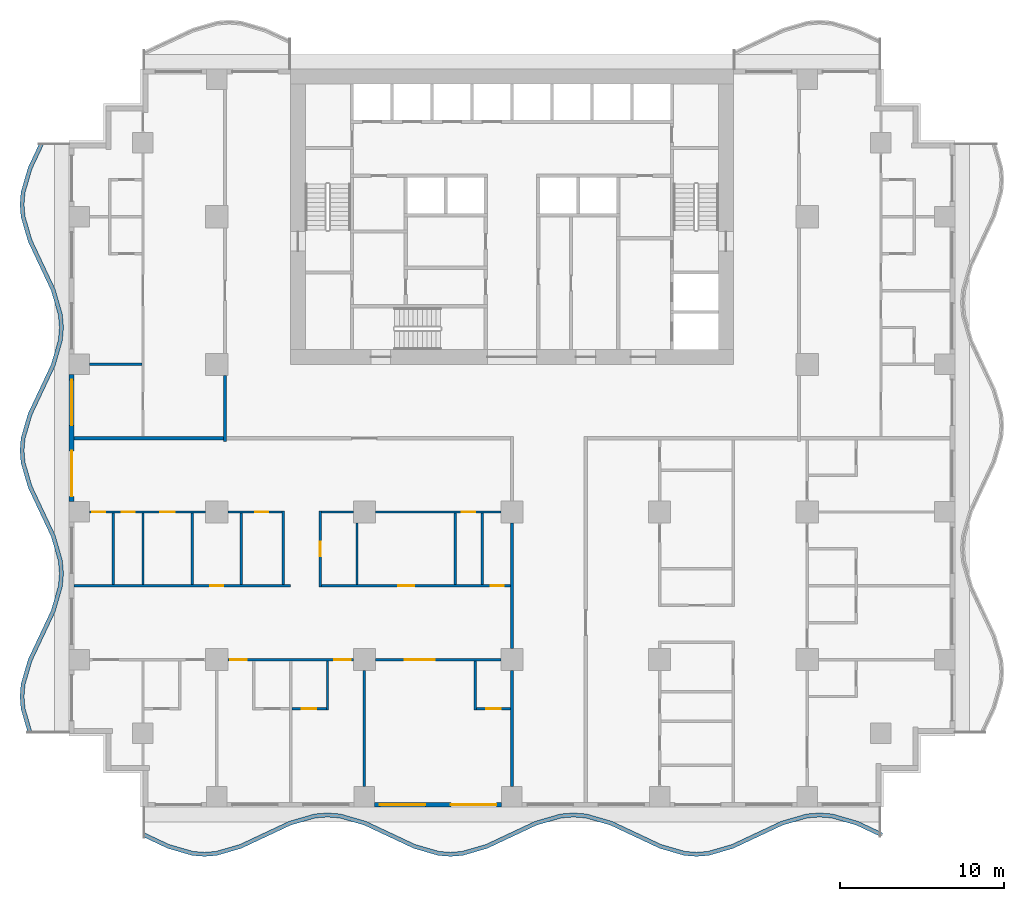
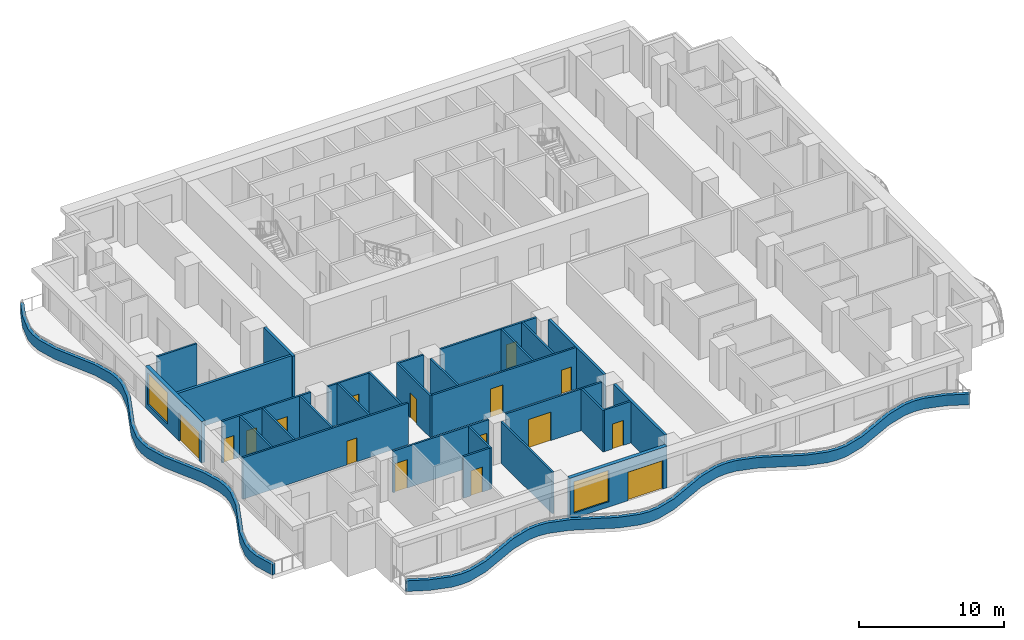
# One storey, part 2 of 14: 31 walls, 16 doors, 2 windows, 18 openings.
"""IFC4 building model written with IfcOpenShell, lengths in metres."""

from ifc_helpers import new_model, si_unit, direction, frame, frame_2d, origin, place, context, subcontext, project, spatial, polyline, rectangle, outline, extrude, material, layer, layer_set, type_object, element, fill, save


model = new_model("IFC4")

# Units and contexts
model_context = context("Model", 3, precision=1e-05, world=origin(), true_north=direction((0.0, 1.0)))
body_context = subcontext(model_context, "Body", "Model", "MODEL_VIEW")
ifc_project = project(units=[si_unit("LENGTHUNIT", "METRE"), si_unit("AREAUNIT", "SQUARE_METRE"), si_unit("VOLUMEUNIT", "CUBIC_METRE"), si_unit("PLANEANGLEUNIT", "RADIAN"), si_unit("MASSUNIT", "GRAM", prefix="KILO")], contexts=[model_context])

# Site, building, storey
site_placement = place(None, origin())
site = spatial("IfcSite", under=ifc_project, at=site_placement, CompositionType="ELEMENT")
building_placement = place(site_placement, origin())
building = spatial("IfcBuilding", under=site, at=building_placement, Name="Orbiselva Terraces", CompositionType="ELEMENT")
storey_placement = place(building_placement, frame((0.0, 0.0, 107.4)))
storey = spatial("IfcBuildingStorey", under=building, at=storey_placement, Name="L27", CompositionType="ELEMENT", Elevation=107.4)

# Walls
ifc_material_1 = material(Name="Concrete C40/50", Category="concrete")
ifc_layer_1 = layer(ifc_material_1, 0.25)
ifc_layer_set_1 = layer_set([ifc_layer_1], Name="Concrete C40/50")
wall_type_1 = type_object("IfcWallType", Name="ENV-PLANTER-250x900", PredefinedType="USERDEFINED", material=ifc_layer_set_1)
wall_1_placement = place(storey_placement, origin())
element("IfcWall", 1, at=wall_1_placement, inside=storey, type_object=wall_type_1, Name="Balcony planter L27 S", ObjectType="PLANTER", PredefinedType="USERDEFINED", context=body_context, shape_type="SweptSolid", body=[
    extrude(outline(polyline([(-22.5, -24.3), (-21.0, -25.005342), (-19.5, -25.441268), (-18.75, -25.5), (-18.0, -25.441268), (-16.5, -25.005342), (-15.0, -24.3), (-13.5, -23.594658), (-12.0, -23.158732), (-11.25, -23.1), (-10.5, -23.158732), (-9.0, -23.594658), (-7.5, -24.3), (-6.0, -25.005342), (-4.5, -25.441268), (-3.75, -25.5), (-3.0, -25.441268), (-1.5, -25.005342), (0.0, -24.3), (1.5, -23.594658), (3.0, -23.158732), (3.75, -23.1), (4.5, -23.158732), (6.0, -23.594658), (7.5, -24.3), (9.0, -25.005342), (10.5, -25.441268), (11.25, -25.5), (12.0, -25.441268), (13.5, -25.005342), (15.0, -24.3), (16.5, -23.594658), (18.0, -23.158732), (18.75, -23.1), (19.5, -23.158732), (21.0, -23.594658), (22.5, -24.3), (22.606383, -24.073764), (21.088618, -23.360069), (19.545114, -22.911499), (18.75, -22.849235), (17.954886, -22.911499), (16.411382, -23.360069), (14.893617, -24.073764), (13.411382, -24.770753), (11.954886, -25.194035), (11.25, -25.249235), (10.545114, -25.194035), (9.088618, -24.770753), (7.606383, -24.073764), (6.088618, -23.360069), (4.545114, -22.911499), (3.75, -22.849235), (2.954886, -22.911499), (1.411382, -23.360069), (-0.106383, -24.073764), (-1.588618, -24.770753), (-3.045114, -25.194035), (-3.75, -25.249235), (-4.454886, -25.194035), (-5.911382, -24.770753), (-7.393617, -24.073764), (-8.911382, -23.360069), (-10.454886, -22.911499), (-11.25, -22.849235), (-12.045114, -22.911499), (-13.588618, -23.360069), (-15.106383, -24.073764), (-16.588618, -24.770753), (-18.045114, -25.194035), (-18.75, -25.249235), (-19.454886, -25.194035), (-20.911382, -24.770753), (-22.393617, -24.073764), (-22.5, -24.3)])), origin(), (0.0, 0.0, 1.0), 0.9),
])
wall_2_placement = place(storey_placement, origin())
element("IfcWall", 2, at=wall_2_placement, inside=storey, type_object=wall_type_1, Name="Balcony planter L27 W", ObjectType="PLANTER", PredefinedType="USERDEFINED", context=body_context, shape_type="SweptSolid", body=[
    extrude(outline(polyline([(-28.8, 18.0), (-29.505342, 16.5), (-29.941268, 15.0), (-30.0, 14.25), (-29.941268, 13.5), (-29.505342, 12.0), (-28.8, 10.5), (-28.094658, 9.0), (-27.658732, 7.5), (-27.6, 6.75), (-27.658732, 6.0), (-28.094658, 4.5), (-28.8, 3.0), (-29.505342, 1.5), (-29.941268, 0.0), (-30.0, -0.75), (-29.941268, -1.5), (-29.505342, -3.0), (-28.8, -4.5), (-28.094658, -6.0), (-27.658732, -7.5), (-27.6, -8.25), (-27.658732, -9.0), (-28.094658, -10.5), (-28.8, -12.0), (-29.505342, -13.5), (-29.941268, -15.0), (-30.0, -15.75), (-29.941268, -16.5), (-29.505342, -18.0), (-29.265274, -17.930232), (-29.694035, -16.454886), (-29.749235, -15.75), (-29.694035, -15.045114), (-29.270753, -13.588618), (-28.573764, -12.106383), (-27.860069, -10.588618), (-27.411499, -9.045114), (-27.349235, -8.25), (-27.411499, -7.454886), (-27.860069, -5.911382), (-28.573764, -4.393617), (-29.270753, -2.911382), (-29.694035, -1.454886), (-29.749235, -0.75), (-29.694035, -0.045114), (-29.270753, 1.411382), (-28.573764, 2.893617), (-27.860069, 4.411382), (-27.411499, 5.954886), (-27.349235, 6.75), (-27.411499, 7.545114), (-27.860069, 9.088618), (-28.573764, 10.606383), (-29.270753, 12.088618), (-29.694035, 13.545114), (-29.749235, 14.25), (-29.694035, 14.954886), (-29.270753, 16.411382), (-28.573764, 17.893617), (-28.8, 18.0)])), origin(), (0.0, 0.0, 1.0), 0.9),
])

# Wall, openings, door, window
ifc_material_2 = material(Name="Terracotta cladding on masonry backing", Category="masonry")
ifc_layer_2 = layer(ifc_material_2, 0.3)
ifc_layer_set_2 = layer_set([ifc_layer_2], Name="Terracotta cladding on masonry backing")
wall_type_2 = type_object("IfcWallType", Name="ENV-WALL-TERRACOTTA-300", PredefinedType="SOLIDWALL", material=ifc_layer_set_2)
wall_3_placement = place(storey_placement, frame((-0.625, -22.35, 0.0), z_axis=(0.0, 0.0, 1.0), x_axis=(-1.0, 0.0, 0.0)))
wall_3 = element("IfcWall", 3, at=wall_3_placement, inside=storey, type_object=wall_type_2, Name="Facade wall L27 S", PredefinedType="SOLIDWALL", context=body_context, shape_type="SweptSolid", body=[
    extrude(rectangle(XDim=7.75, YDim=0.3, at=frame_2d((3.875, 0.0))), origin(), (0.0, 0.0, 1.0), 3.5),
])
opening_1_placement = place(wall_3_placement, frame((4.65, 0.0, 0.45)))
opening_1 = element("IfcOpeningElement", 4, at=opening_1_placement, cuts=wall_3, Name="Opening WN6", PredefinedType="OPENING", context=body_context, shape_type="SweptSolid", body=[
    extrude(rectangle(XDim=2.775, YDim=2.65, at=frame_2d((1.3875, 1.325))), frame((0.0, 0.16, 0.0), z_axis=(0.0, -1.0, 0.0), x_axis=(1.0, 0.0, 0.0)), (0.0, 0.0, 1.0), 0.32),
])
opening_2_placement = place(wall_3_placement, frame((0.325, 0.0, 0.0)))
opening_2 = element("IfcOpeningElement", 5, at=opening_2_placement, cuts=wall_3, Name="Opening Z2-D-E02", PredefinedType="OPENING", context=body_context, shape_type="SweptSolid", body=[
    extrude(rectangle(XDim=2.775, YDim=2.4, at=frame_2d((1.3875, 1.2))), frame((0.0, 0.16, 0.0), z_axis=(0.0, -1.0, 0.0), x_axis=(1.0, 0.0, 0.0)), (0.0, 0.0, 1.0), 0.32),
])
ifc_material_3 = material(Name="Clear low-e glazing in aluminium frame", Category="aluminium")
door_type_1 = type_object("IfcDoorType", Name="BALCONY DOOR 2775 X 2400", OperationType="DOUBLE_DOOR_SLIDING", PredefinedType="DOOR", material=ifc_material_3)
door_1_placement = place(opening_2_placement, origin())
door_1 = element("IfcDoor", 6, at=door_1_placement, inside=storey, type_object=door_type_1, Name="Z2-D-E02", OperationType="SINGLE_SWING_LEFT", OverallHeight=2.4, OverallWidth=2.775, PredefinedType="DOOR", context=body_context, shape_type="SweptSolid", body=[
    extrude(rectangle(XDim=2.775, YDim=2.4, at=frame_2d((1.3875, 1.2))), frame((0.0, 0.025, 0.0), z_axis=(0.0, -1.0, 0.0), x_axis=(1.0, 0.0, 0.0)), (0.0, 0.0, 1.0), 0.05),
])
fill(opening_2, door_1)
window_type = type_object("IfcWindowType", Name="WINDOW 2775 X 2650 S450", PartitioningType="TRIPLE_PANEL_VERTICAL", PredefinedType="WINDOW", material=ifc_material_3)
window_1_placement = place(opening_1_placement, origin())
window_1 = element("IfcWindow", 7, at=window_1_placement, inside=storey, type_object=window_type, Name="Window L27 S", OverallHeight=2.65, OverallWidth=2.775, PartitioningType="SINGLE_PANEL", PredefinedType="WINDOW", context=body_context, shape_type="SweptSolid", body=[
    extrude(rectangle(XDim=2.775, YDim=2.65, at=frame_2d((1.3875, 1.325))), frame((0.0, 0.03, 0.0), z_axis=(0.0, -1.0, 0.0), x_axis=(1.0, 0.0, 0.0)), (0.0, 0.0, 1.0), 0.06),
])
fill(opening_1, window_1)

wall_4_placement = place(storey_placement, frame((-26.85, -3.875, 0.0), z_axis=(0.0, 0.0, 1.0), x_axis=(0.0, 1.0, 0.0)))
wall_4 = element("IfcWall", 8, at=wall_4_placement, inside=storey, type_object=wall_type_2, Name="Facade wall L27 W", PredefinedType="SOLIDWALL", context=body_context, shape_type="SweptSolid", body=[
    extrude(rectangle(XDim=7.75, YDim=0.3, at=frame_2d((3.875, 0.0))), origin(), (0.0, 0.0, 1.0), 3.5),
])
opening_3_placement = place(wall_4_placement, frame((4.65, 0.0, 0.45)))
opening_3 = element("IfcOpeningElement", 9, at=opening_3_placement, cuts=wall_4, Name="Opening WN6", PredefinedType="OPENING", context=body_context, shape_type="SweptSolid", body=[
    extrude(rectangle(XDim=2.775, YDim=2.65, at=frame_2d((1.3875, 1.325))), frame((0.0, 0.16, 0.0), z_axis=(0.0, -1.0, 0.0), x_axis=(1.0, 0.0, 0.0)), (0.0, 0.0, 1.0), 0.32),
])
opening_4_placement = place(wall_4_placement, frame((0.325, 0.0, 0.0)))
opening_4 = element("IfcOpeningElement", 10, at=opening_4_placement, cuts=wall_4, Name="Opening Z2-D-E11", PredefinedType="OPENING", context=body_context, shape_type="SweptSolid", body=[
    extrude(rectangle(XDim=2.775, YDim=2.4, at=frame_2d((1.3875, 1.2))), frame((0.0, 0.16, 0.0), z_axis=(0.0, -1.0, 0.0), x_axis=(1.0, 0.0, 0.0)), (0.0, 0.0, 1.0), 0.32),
])
door_2_placement = place(opening_4_placement, origin())
door_2 = element("IfcDoor", 11, at=door_2_placement, inside=storey, type_object=door_type_1, Name="Z2-D-E11", OperationType="SINGLE_SWING_LEFT", OverallHeight=2.4, OverallWidth=2.775, PredefinedType="DOOR", context=body_context, shape_type="SweptSolid", body=[
    extrude(rectangle(XDim=2.775, YDim=2.4, at=frame_2d((1.3875, 1.2))), frame((0.0, 0.025, 0.0), z_axis=(0.0, -1.0, 0.0), x_axis=(1.0, 0.0, 0.0)), (0.0, 0.0, 1.0), 0.05),
])
fill(opening_4, door_2)
window_2_placement = place(opening_3_placement, origin())
window_2 = element("IfcWindow", 12, at=window_2_placement, inside=storey, type_object=window_type, Name="Window L27 W", OverallHeight=2.65, OverallWidth=2.775, PartitioningType="SINGLE_PANEL", PredefinedType="WINDOW", context=body_context, shape_type="SweptSolid", body=[
    extrude(rectangle(XDim=2.775, YDim=2.65, at=frame_2d((1.3875, 1.325))), frame((0.0, 0.03, 0.0), z_axis=(0.0, -1.0, 0.0), x_axis=(1.0, 0.0, 0.0)), (0.0, 0.0, 1.0), 0.06),
])
fill(opening_3, window_2)

# Walls
ifc_material_4 = material(Name="Plasterboard on steel stud partition", Category="steel")
ifc_layer_3 = layer(ifc_material_4, 0.2)
ifc_layer_set_3 = layer_set([ifc_layer_3], Name="Plasterboard on steel stud partition")
wall_type_3 = type_object("IfcWallType", Name="UNIT-ENTRANCE-WALL-200", PredefinedType="PARTITIONING", material=ifc_layer_set_3)
wall_5_placement = place(storey_placement, frame((-17.5, -0.2, 0.0), z_axis=(0.0, 0.0, 1.0), x_axis=(0.0, 1.0, 0.0)))
element("IfcWall", 13, at=wall_5_placement, inside=storey, type_object=wall_type_3, Name="PARTITION L27-055", PredefinedType="PARTITIONING", context=body_context, shape_type="SweptSolid", body=[
    extrude(rectangle(XDim=4.025, YDim=0.2, at=frame_2d((2.0125, 0.0))), origin(), (0.0, 0.0, 1.0), 3.5),
])
wall_6_placement = place(storey_placement, frame((0.0, -21.25, 0.0), z_axis=(0.0, 0.0, 1.0), x_axis=(0.0, 1.0, 0.0)))
element("IfcWall", 14, at=wall_6_placement, inside=storey, type_object=wall_type_3, Name="PARTITION L27-069", PredefinedType="PARTITIONING", context=body_context, shape_type="SweptSolid", body=[
    extrude(rectangle(XDim=7.075, YDim=0.2, at=frame_2d((3.5375, 0.0))), origin(), (0.0, 0.0, 1.0), 3.5),
])
wall_7_placement = place(storey_placement, frame((0.0, -12.825, 0.0), z_axis=(0.0, 0.0, 1.0), x_axis=(0.0, 1.0, 0.0)))
element("IfcWall", 15, at=wall_7_placement, inside=storey, type_object=wall_type_3, Name="PARTITION L27-070", PredefinedType="PARTITIONING", context=body_context, shape_type="SweptSolid", body=[
    extrude(rectangle(XDim=7.65, YDim=0.2, at=frame_2d((3.825, 0.0))), origin(), (0.0, 0.0, 1.0), 3.5),
])

# Wall, opening, door
ifc_layer_4 = layer(ifc_material_4, 0.15)
ifc_layer_set_4 = layer_set([ifc_layer_4], Name="Plasterboard on steel stud partition")
wall_type_4 = type_object("IfcWallType", Name="UNIT-PARTITION-150", PredefinedType="PARTITIONING", material=ifc_layer_set_4)
wall_8_placement = place(storey_placement, frame((-13.425, -16.5, 0.0), z_axis=(0.0, 0.0, 1.0), x_axis=(1.0, 0.0, 0.0)))
wall_8 = element("IfcWall", 16, at=wall_8_placement, inside=storey, type_object=wall_type_4, Name="PARTITION L27-005", PredefinedType="PARTITIONING", context=body_context, shape_type="SweptSolid", body=[
    extrude(rectangle(XDim=2.1, YDim=0.15, at=frame_2d((1.05, 0.0))), origin(), (0.0, 0.0, 1.0), 3.5),
])
opening_5_placement = place(wall_8_placement, frame((0.6, 0.0, 0.0)))
opening_5 = element("IfcOpeningElement", 17, at=opening_5_placement, cuts=wall_8, Name="Opening Z2-D-28", PredefinedType="OPENING", context=body_context, shape_type="SweptSolid", body=[
    extrude(rectangle(XDim=0.9, YDim=2.1, at=frame_2d((0.45, 1.05))), frame((0.0, 0.085, 0.0), z_axis=(0.0, -1.0, 0.0), x_axis=(1.0, 0.0, 0.0)), (0.0, 0.0, 1.0), 0.17),
])
ifc_material_5 = material(Name="Painted timber door leaf", Category="wood")
door_type_2 = type_object("IfcDoorType", Name="BATH DOOR 900", OperationType="NOTDEFINED", PredefinedType="DOOR", material=ifc_material_5)
door_3_placement = place(opening_5_placement, origin())
door_3 = element("IfcDoor", 18, at=door_3_placement, inside=storey, type_object=door_type_2, Name="Z2-D-28", OperationType="SINGLE_SWING_LEFT", OverallHeight=2.1, OverallWidth=0.9, PredefinedType="DOOR", context=body_context, shape_type="SweptSolid", body=[
    extrude(rectangle(XDim=0.9, YDim=2.1, at=frame_2d((0.45, 1.05))), frame((0.0, 0.025, 0.0), z_axis=(0.0, -1.0, 0.0), x_axis=(1.0, 0.0, 0.0)), (0.0, 0.0, 1.0), 0.05),
])
fill(opening_5, door_3)

wall_9_placement = place(storey_placement, frame((-2.175, -16.5, 0.0), z_axis=(0.0, 0.0, 1.0), x_axis=(1.0, 0.0, 0.0)))
wall_9 = element("IfcWall", 19, at=wall_9_placement, inside=storey, type_object=wall_type_4, Name="PARTITION L27-006", PredefinedType="PARTITIONING", context=body_context, shape_type="SweptSolid", body=[
    extrude(rectangle(XDim=2.075, YDim=0.15, at=frame_2d((1.0375, 0.0))), origin(), (0.0, 0.0, 1.0), 3.5),
])
opening_6_placement = place(wall_9_placement, frame((0.6, 0.0, 0.0)))
opening_6 = element("IfcOpeningElement", 20, at=opening_6_placement, cuts=wall_9, Name="Opening Z2-D-26", PredefinedType="OPENING", context=body_context, shape_type="SweptSolid", body=[
    extrude(rectangle(XDim=0.9, YDim=2.1, at=frame_2d((0.45, 1.05))), frame((0.0, 0.085, 0.0), z_axis=(0.0, -1.0, 0.0), x_axis=(1.0, 0.0, 0.0)), (0.0, 0.0, 1.0), 0.17),
])
door_4_placement = place(opening_6_placement, origin())
door_4 = element("IfcDoor", 21, at=door_4_placement, inside=storey, type_object=door_type_2, Name="Z2-D-26", OperationType="SINGLE_SWING_RIGHT", OverallHeight=2.1, OverallWidth=0.9, PredefinedType="DOOR", context=body_context, shape_type="SweptSolid", body=[
    extrude(rectangle(XDim=0.9, YDim=2.1, at=frame_2d((0.45, 1.05))), frame((0.0, 0.025, 0.0), z_axis=(0.0, -1.0, 0.0), x_axis=(1.0, 0.0, 0.0)), (0.0, 0.0, 1.0), 0.05),
])
fill(opening_6, door_4)

# Wall, openings, doors
wall_10_placement = place(storey_placement, frame((-9.675, -13.5, 0.0), z_axis=(0.0, 0.0, 1.0), x_axis=(-1.0, 0.0, 0.0)))
wall_10 = element("IfcWall", 22, at=wall_10_placement, inside=storey, type_object=wall_type_4, Name="PARTITION L27-010", PredefinedType="PARTITIONING", context=body_context, shape_type="SweptSolid", body=[
    extrude(rectangle(XDim=7.65, YDim=0.15, at=frame_2d((3.825, 0.0))), origin(), (0.0, 0.0, 1.0), 3.5),
])
opening_7_placement = place(wall_10_placement, frame((0.15, 0.0, 0.0)))
opening_7 = element("IfcOpeningElement", 23, at=opening_7_placement, cuts=wall_10, Name="Opening Z2-D-27", PredefinedType="OPENING", context=body_context, shape_type="SweptSolid", body=[
    extrude(rectangle(XDim=1.0, YDim=2.4, at=frame_2d((0.5, 1.2))), frame((0.0, 0.085, 0.0), z_axis=(0.0, -1.0, 0.0), x_axis=(1.0, 0.0, 0.0)), (0.0, 0.0, 1.0), 0.17),
])
opening_8_placement = place(wall_10_placement, frame((6.5, 0.0, 0.0)))
opening_8 = element("IfcOpeningElement", 24, at=opening_8_placement, cuts=wall_10, Name="Opening Z2-D-29", PredefinedType="OPENING", context=body_context, shape_type="SweptSolid", body=[
    extrude(rectangle(XDim=1.0, YDim=2.4, at=frame_2d((0.5, 1.2))), frame((0.0, 0.085, 0.0), z_axis=(0.0, -1.0, 0.0), x_axis=(1.0, 0.0, 0.0)), (0.0, 0.0, 1.0), 0.17),
])
door_type_3 = type_object("IfcDoorType", Name="ROOM DOOR 1000", OperationType="NOTDEFINED", PredefinedType="DOOR", material=ifc_material_5)
door_5_placement = place(opening_7_placement, origin())
door_5 = element("IfcDoor", 25, at=door_5_placement, inside=storey, type_object=door_type_3, Name="Z2-D-27", OperationType="SINGLE_SWING_LEFT", OverallHeight=2.4, OverallWidth=1.0, PredefinedType="DOOR", context=body_context, shape_type="SweptSolid", body=[
    extrude(rectangle(XDim=1.0, YDim=2.4, at=frame_2d((0.5, 1.2))), frame((0.0, 0.025, 0.0), z_axis=(0.0, -1.0, 0.0), x_axis=(1.0, 0.0, 0.0)), (0.0, 0.0, 1.0), 0.05),
])
fill(opening_7, door_5)
door_6_placement = place(opening_8_placement, origin())
door_6 = element("IfcDoor", 26, at=door_6_placement, inside=storey, type_object=door_type_3, Name="Z2-D-29", OperationType="SINGLE_SWING_RIGHT", OverallHeight=2.4, OverallWidth=1.0, PredefinedType="DOOR", context=body_context, shape_type="SweptSolid", body=[
    extrude(rectangle(XDim=1.0, YDim=2.4, at=frame_2d((0.5, 1.2))), frame((0.0, 0.025, 0.0), z_axis=(0.0, -1.0, 0.0), x_axis=(1.0, 0.0, 0.0)), (0.0, 0.0, 1.0), 0.05),
])
fill(opening_8, door_6)

# Wall, opening, door
wall_11_placement = place(storey_placement, frame((-0.675, -13.5, 0.0), z_axis=(0.0, 0.0, 1.0), x_axis=(-1.0, 0.0, 0.0)))
wall_11 = element("IfcWall", 27, at=wall_11_placement, inside=storey, type_object=wall_type_4, Name="PARTITION L27-011", PredefinedType="PARTITIONING", context=body_context, shape_type="SweptSolid", body=[
    extrude(rectangle(XDim=7.65, YDim=0.15, at=frame_2d((3.825, 0.0))), origin(), (0.0, 0.0, 1.0), 3.5),
])
opening_9_placement = place(wall_11_placement, frame((4.05, 0.0, 0.0)))
opening_9 = element("IfcOpeningElement", 28, at=opening_9_placement, cuts=wall_11, Name="Opening Z2-D-25", PredefinedType="OPENING", context=body_context, shape_type="SweptSolid", body=[
    extrude(rectangle(XDim=1.8, YDim=2.4, at=frame_2d((0.9, 1.2))), frame((0.0, 0.085, 0.0), z_axis=(0.0, -1.0, 0.0), x_axis=(1.0, 0.0, 0.0)), (0.0, 0.0, 1.0), 0.17),
])
door_type_4 = type_object("IfcDoorType", Name="DOUBLE DOOR 1800", OperationType="NOTDEFINED", PredefinedType="DOOR", material=ifc_material_5)
door_7_placement = place(opening_9_placement, origin())
door_7 = element("IfcDoor", 29, at=door_7_placement, inside=storey, type_object=door_type_4, Name="Z2-D-25", OperationType="DOUBLE_DOOR_SINGLE_SWING", OverallHeight=2.4, OverallWidth=1.8, PredefinedType="DOOR", context=body_context, shape_type="SweptSolid", body=[
    extrude(rectangle(XDim=1.8, YDim=2.4, at=frame_2d((0.9, 1.2))), frame((0.0, 0.025, 0.0), z_axis=(0.0, -1.0, 0.0), x_axis=(1.0, 0.0, 0.0)), (0.0, 0.0, 1.0), 0.05),
])
fill(opening_9, door_7)

wall_12_placement = place(storey_placement, frame((-26.7, -9.0, 0.0), z_axis=(0.0, 0.0, 1.0), x_axis=(1.0, 0.0, 0.0)))
wall_12 = element("IfcWall", 30, at=wall_12_placement, inside=storey, type_object=wall_type_4, Name="PARTITION L27-016", PredefinedType="PARTITIONING", context=body_context, shape_type="SweptSolid", body=[
    extrude(rectangle(XDim=13.2, YDim=0.15, at=frame_2d((6.6, 0.0))), origin(), (0.0, 0.0, 1.0), 3.5),
])
opening_10_placement = place(wall_12_placement, frame((8.3, 0.0, 0.0)))
opening_10 = element("IfcOpeningElement", 31, at=opening_10_placement, cuts=wall_12, Name="Opening Z2-D-21", PredefinedType="OPENING", context=body_context, shape_type="SweptSolid", body=[
    extrude(rectangle(XDim=0.8, YDim=2.0, at=frame_2d((0.4, 1.0))), frame((0.0, 0.085, 0.0), z_axis=(0.0, -1.0, 0.0), x_axis=(1.0, 0.0, 0.0)), (0.0, 0.0, 1.0), 0.17),
])
door_type_5 = type_object("IfcDoorType", Name="STORE DOOR 800", OperationType="NOTDEFINED", PredefinedType="DOOR", material=ifc_material_5)
door_8_placement = place(opening_10_placement, origin())
door_8 = element("IfcDoor", 32, at=door_8_placement, inside=storey, type_object=door_type_5, Name="Z2-D-21", OperationType="SINGLE_SWING_RIGHT", OverallHeight=2.0, OverallWidth=0.8, PredefinedType="DOOR", context=body_context, shape_type="SweptSolid", body=[
    extrude(rectangle(XDim=0.8, YDim=2.0, at=frame_2d((0.4, 1.0))), frame((0.0, 0.025, 0.0), z_axis=(0.0, -1.0, 0.0), x_axis=(1.0, 0.0, 0.0)), (0.0, 0.0, 1.0), 0.05),
])
fill(opening_10, door_8)

# Wall, openings, doors
wall_13_placement = place(storey_placement, frame((-11.625, -9.0, 0.0), z_axis=(0.0, 0.0, 1.0), x_axis=(1.0, 0.0, 0.0)))
wall_13 = element("IfcWall", 33, at=wall_13_placement, inside=storey, type_object=wall_type_4, Name="PARTITION L27-017", PredefinedType="PARTITIONING", context=body_context, shape_type="SweptSolid", body=[
    extrude(rectangle(XDim=11.525, YDim=0.15, at=frame_2d((5.7625, 0.0))), origin(), (0.0, 0.0, 1.0), 3.5),
])
opening_11_placement = place(wall_13_placement, frame((10.325, 0.0, 0.0)))
opening_11 = element("IfcOpeningElement", 34, at=opening_11_placement, cuts=wall_13, Name="Opening Z2-D-16", PredefinedType="OPENING", context=body_context, shape_type="SweptSolid", body=[
    extrude(rectangle(XDim=0.8, YDim=2.0, at=frame_2d((0.4, 1.0))), frame((0.0, 0.085, 0.0), z_axis=(0.0, -1.0, 0.0), x_axis=(1.0, 0.0, 0.0)), (0.0, 0.0, 1.0), 0.17),
])
opening_12_placement = place(wall_13_placement, frame((4.675, 0.0, 0.0)))
opening_12 = element("IfcOpeningElement", 35, at=opening_12_placement, cuts=wall_13, Name="Opening Z2-D-18", PredefinedType="OPENING", context=body_context, shape_type="SweptSolid", body=[
    extrude(rectangle(XDim=1.0, YDim=2.4, at=frame_2d((0.5, 1.2))), frame((0.0, 0.085, 0.0), z_axis=(0.0, -1.0, 0.0), x_axis=(1.0, 0.0, 0.0)), (0.0, 0.0, 1.0), 0.17),
])
door_9_placement = place(opening_12_placement, origin())
door_9 = element("IfcDoor", 36, at=door_9_placement, inside=storey, type_object=door_type_3, Name="Z2-D-18", OperationType="SINGLE_SWING_LEFT", OverallHeight=2.4, OverallWidth=1.0, PredefinedType="DOOR", context=body_context, shape_type="SweptSolid", body=[
    extrude(rectangle(XDim=1.0, YDim=2.4, at=frame_2d((0.5, 1.2))), frame((0.0, 0.025, 0.0), z_axis=(0.0, -1.0, 0.0), x_axis=(1.0, 0.0, 0.0)), (0.0, 0.0, 1.0), 0.05),
])
fill(opening_12, door_9)
door_10_placement = place(opening_11_placement, origin())
door_10 = element("IfcDoor", 37, at=door_10_placement, inside=storey, type_object=door_type_5, Name="Z2-D-16", OperationType="SINGLE_SWING_RIGHT", OverallHeight=2.0, OverallWidth=0.8, PredefinedType="DOOR", context=body_context, shape_type="SweptSolid", body=[
    extrude(rectangle(XDim=0.8, YDim=2.0, at=frame_2d((0.4, 1.0))), frame((0.0, 0.025, 0.0), z_axis=(0.0, -1.0, 0.0), x_axis=(1.0, 0.0, 0.0)), (0.0, 0.0, 1.0), 0.05),
])
fill(opening_11, door_10)

wall_14_placement = place(storey_placement, frame((-18.675, -4.5, 0.0), z_axis=(0.0, 0.0, 1.0), x_axis=(-1.0, 0.0, 0.0)))
wall_14 = element("IfcWall", 38, at=wall_14_placement, inside=storey, type_object=wall_type_4, Name="PARTITION L27-022", PredefinedType="PARTITIONING", context=body_context, shape_type="SweptSolid", body=[
    extrude(rectangle(XDim=7.075, YDim=0.15, at=frame_2d((3.5375, 0.0))), origin(), (0.0, 0.0, 1.0), 3.5),
])
opening_13_placement = place(wall_14_placement, frame((1.875, 0.0, 0.0)))
opening_13 = element("IfcOpeningElement", 39, at=opening_13_placement, cuts=wall_14, Name="Opening Z2-D-22", PredefinedType="OPENING", context=body_context, shape_type="SweptSolid", body=[
    extrude(rectangle(XDim=0.9, YDim=2.1, at=frame_2d((0.45, 1.05))), frame((0.0, 0.085, 0.0), z_axis=(0.0, -1.0, 0.0), x_axis=(1.0, 0.0, 0.0)), (0.0, 0.0, 1.0), 0.17),
])
opening_14_placement = place(wall_14_placement, frame((4.325, 0.0, 0.0)))
opening_14 = element("IfcOpeningElement", 40, at=opening_14_placement, cuts=wall_14, Name="Opening Z2-D-23", PredefinedType="OPENING", context=body_context, shape_type="SweptSolid", body=[
    extrude(rectangle(XDim=0.8, YDim=2.0, at=frame_2d((0.4, 1.0))), frame((0.0, 0.085, 0.0), z_axis=(0.0, -1.0, 0.0), x_axis=(1.0, 0.0, 0.0)), (0.0, 0.0, 1.0), 0.17),
])
opening_15_placement = place(wall_14_placement, frame((6.125, 0.0, 0.0)))
opening_15 = element("IfcOpeningElement", 41, at=opening_15_placement, cuts=wall_14, Name="Opening Z2-D-24", PredefinedType="OPENING", context=body_context, shape_type="SweptSolid", body=[
    extrude(rectangle(XDim=0.8, YDim=2.0, at=frame_2d((0.4, 1.0))), frame((0.0, 0.085, 0.0), z_axis=(0.0, -1.0, 0.0), x_axis=(1.0, 0.0, 0.0)), (0.0, 0.0, 1.0), 0.17),
])
door_type_6 = type_object("IfcDoorType", Name="SERVICE DOOR 900", OperationType="NOTDEFINED", PredefinedType="DOOR", material=ifc_material_5)
door_11_placement = place(opening_13_placement, origin())
door_11 = element("IfcDoor", 42, at=door_11_placement, inside=storey, type_object=door_type_6, Name="Z2-D-22", OperationType="SINGLE_SWING_LEFT", OverallHeight=2.1, OverallWidth=0.9, PredefinedType="DOOR", context=body_context, shape_type="SweptSolid", body=[
    extrude(rectangle(XDim=0.9, YDim=2.1, at=frame_2d((0.45, 1.05))), frame((0.0, 0.025, 0.0), z_axis=(0.0, -1.0, 0.0), x_axis=(1.0, 0.0, 0.0)), (0.0, 0.0, 1.0), 0.05),
])
fill(opening_13, door_11)
door_12_placement = place(opening_14_placement, origin())
door_12 = element("IfcDoor", 43, at=door_12_placement, inside=storey, type_object=door_type_5, Name="Z2-D-23", OperationType="SINGLE_SWING_RIGHT", OverallHeight=2.0, OverallWidth=0.8, PredefinedType="DOOR", context=body_context, shape_type="SweptSolid", body=[
    extrude(rectangle(XDim=0.8, YDim=2.0, at=frame_2d((0.4, 1.0))), frame((0.0, 0.025, 0.0), z_axis=(0.0, -1.0, 0.0), x_axis=(1.0, 0.0, 0.0)), (0.0, 0.0, 1.0), 0.05),
])
fill(opening_14, door_12)
door_13_placement = place(opening_15_placement, origin())
door_13 = element("IfcDoor", 44, at=door_13_placement, inside=storey, type_object=door_type_5, Name="Z2-D-24", OperationType="SINGLE_SWING_RIGHT", OverallHeight=2.0, OverallWidth=0.8, PredefinedType="DOOR", context=body_context, shape_type="SweptSolid", body=[
    extrude(rectangle(XDim=0.8, YDim=2.0, at=frame_2d((0.4, 1.0))), frame((0.0, 0.025, 0.0), z_axis=(0.0, -1.0, 0.0), x_axis=(1.0, 0.0, 0.0)), (0.0, 0.0, 1.0), 0.05),
])
fill(opening_15, door_13)

# Wall, opening, door
wall_15_placement = place(storey_placement, frame((-14.025, -4.5, 0.0), z_axis=(0.0, 0.0, 1.0), x_axis=(-1.0, 0.0, 0.0)))
wall_15 = element("IfcWall", 45, at=wall_15_placement, inside=storey, type_object=wall_type_4, Name="PARTITION L27-023", PredefinedType="PARTITIONING", context=body_context, shape_type="SweptSolid", body=[
    extrude(rectangle(XDim=3.3, YDim=0.15, at=frame_2d((1.65, 0.0))), origin(), (0.0, 0.0, 1.0), 3.5),
])
opening_16_placement = place(wall_15_placement, frame((0.825, 0.0, 0.0)))
opening_16 = element("IfcOpeningElement", 46, at=opening_16_placement, cuts=wall_15, Name="Opening Z2-D-20", PredefinedType="OPENING", context=body_context, shape_type="SweptSolid", body=[
    extrude(rectangle(XDim=0.8, YDim=2.0, at=frame_2d((0.4, 1.0))), frame((0.0, 0.085, 0.0), z_axis=(0.0, -1.0, 0.0), x_axis=(1.0, 0.0, 0.0)), (0.0, 0.0, 1.0), 0.17),
])
door_14_placement = place(opening_16_placement, origin())
door_14 = element("IfcDoor", 47, at=door_14_placement, inside=storey, type_object=door_type_5, Name="Z2-D-20", OperationType="SINGLE_SWING_LEFT", OverallHeight=2.0, OverallWidth=0.8, PredefinedType="DOOR", context=body_context, shape_type="SweptSolid", body=[
    extrude(rectangle(XDim=0.8, YDim=2.0, at=frame_2d((0.4, 1.0))), frame((0.0, 0.025, 0.0), z_axis=(0.0, -1.0, 0.0), x_axis=(1.0, 0.0, 0.0)), (0.0, 0.0, 1.0), 0.05),
])
fill(opening_16, door_14)

# Wall
wall_16_placement = place(storey_placement, frame((-11.625, -4.5, 0.0), z_axis=(0.0, 0.0, 1.0), x_axis=(1.0, 0.0, 0.0)))
element("IfcWall", 48, at=wall_16_placement, inside=storey, type_object=wall_type_4, Name="PARTITION L27-024", PredefinedType="PARTITIONING", context=body_context, shape_type="SweptSolid", body=[
    extrude(rectangle(XDim=1.95, YDim=0.15, at=frame_2d((0.975, 0.0))), origin(), (0.0, 0.0, 1.0), 3.5),
])

# Wall, opening, door
wall_17_placement = place(storey_placement, frame((-0.675, -4.5, 0.0), z_axis=(0.0, 0.0, 1.0), x_axis=(-1.0, 0.0, 0.0)))
wall_17 = element("IfcWall", 49, at=wall_17_placement, inside=storey, type_object=wall_type_4, Name="PARTITION L27-025", PredefinedType="PARTITIONING", context=body_context, shape_type="SweptSolid", body=[
    extrude(rectangle(XDim=7.65, YDim=0.15, at=frame_2d((3.825, 0.0))), origin(), (0.0, 0.0, 1.0), 3.5),
])
opening_17_placement = place(wall_17_placement, frame((1.575, 0.0, 0.0)))
opening_17 = element("IfcOpeningElement", 50, at=opening_17_placement, cuts=wall_17, Name="Opening Z2-D-17", PredefinedType="OPENING", context=body_context, shape_type="SweptSolid", body=[
    extrude(rectangle(XDim=0.8, YDim=2.0, at=frame_2d((0.4, 1.0))), frame((0.0, 0.085, 0.0), z_axis=(0.0, -1.0, 0.0), x_axis=(1.0, 0.0, 0.0)), (0.0, 0.0, 1.0), 0.17),
])
door_15_placement = place(opening_17_placement, origin())
door_15 = element("IfcDoor", 51, at=door_15_placement, inside=storey, type_object=door_type_5, Name="Z2-D-17", OperationType="SINGLE_SWING_LEFT", OverallHeight=2.0, OverallWidth=0.8, PredefinedType="DOOR", context=body_context, shape_type="SweptSolid", body=[
    extrude(rectangle(XDim=0.8, YDim=2.0, at=frame_2d((0.4, 1.0))), frame((0.0, 0.025, 0.0), z_axis=(0.0, -1.0, 0.0), x_axis=(1.0, 0.0, 0.0)), (0.0, 0.0, 1.0), 0.05),
])
fill(opening_17, door_15)

# Walls
wall_18_placement = place(storey_placement, frame((-25.75, 4.5, 0.0), z_axis=(0.0, 0.0, 1.0), x_axis=(1.0, 0.0, 0.0)))
element("IfcWall", 52, at=wall_18_placement, inside=storey, type_object=wall_type_4, Name="PARTITION L27-033", PredefinedType="PARTITIONING", context=body_context, shape_type="SweptSolid", body=[
    extrude(rectangle(XDim=3.175, YDim=0.15, at=frame_2d((1.5875, 0.0))), origin(), (0.0, 0.0, 1.0), 3.5),
])
for number, where, z_axis, x_axis, name in (
    (53, (-24.3, -8.925, 0.0), (0.0, 0.0, 1.0), (0.0, 1.0, 0.0), "PARTITION L27-046"),
    (54, (-22.5, -8.925, 0.0), (0.0, 0.0, 1.0), (0.0, 1.0, 0.0), "PARTITION L27-049"),
    (55, (-19.5, -8.925, 0.0), (0.0, 0.0, 1.0), (0.0, 1.0, 0.0), "PARTITION L27-053"),
    (56, (-16.5, -8.925, 0.0), (0.0, 0.0, 1.0), (0.0, 1.0, 0.0), "PARTITION L27-058"),
):
    element("IfcWall", number, at=place(storey_placement, frame(where, z_axis=z_axis, x_axis=x_axis)), inside=storey, type_object=wall_type_4, Name=name, PredefinedType="PARTITIONING", context=body_context, shape_type="SweptSolid", body=[
        extrude(rectangle(XDim=4.35, YDim=0.15, at=frame_2d((2.175, 0.0))), origin(), (0.0, 0.0, 1.0), 3.5),
    ])
wall_19_placement = place(storey_placement, frame((-13.95, -8.925, 0.0), z_axis=(0.0, 0.0, 1.0), x_axis=(0.0, 1.0, 0.0)))
element("IfcWall", 57, at=wall_19_placement, inside=storey, type_object=wall_type_4, Name="PARTITION L27-060", PredefinedType="PARTITIONING", context=body_context, shape_type="SweptSolid", body=[
    extrude(rectangle(XDim=4.5, YDim=0.15, at=frame_2d((2.25, 0.0))), origin(), (0.0, 0.0, 1.0), 3.5),
])

# Wall, opening, door
wall_20_placement = place(storey_placement, frame((-11.7, -4.425, 0.0), z_axis=(0.0, 0.0, 1.0), x_axis=(0.0, -1.0, 0.0)))
wall_20 = element("IfcWall", 58, at=wall_20_placement, inside=storey, type_object=wall_type_4, Name="PARTITION L27-062", PredefinedType="PARTITIONING", context=body_context, shape_type="SweptSolid", body=[
    extrude(rectangle(XDim=4.65, YDim=0.15, at=frame_2d((2.325, 0.0))), origin(), (0.0, 0.0, 1.0), 3.5),
])
opening_18_placement = place(wall_20_placement, frame((1.875, 0.0, 0.0)))
opening_18 = element("IfcOpeningElement", 59, at=opening_18_placement, cuts=wall_20, Name="Opening Z2-D-19", PredefinedType="OPENING", context=body_context, shape_type="SweptSolid", body=[
    extrude(rectangle(XDim=0.9, YDim=2.1, at=frame_2d((0.45, 1.05))), frame((0.0, 0.085, 0.0), z_axis=(0.0, -1.0, 0.0), x_axis=(1.0, 0.0, 0.0)), (0.0, 0.0, 1.0), 0.17),
])
door_16_placement = place(opening_18_placement, origin())
door_16 = element("IfcDoor", 60, at=door_16_placement, inside=storey, type_object=door_type_2, Name="Z2-D-19", OperationType="SINGLE_SWING_RIGHT", OverallHeight=2.1, OverallWidth=0.9, PredefinedType="DOOR", context=body_context, shape_type="SweptSolid", body=[
    extrude(rectangle(XDim=0.9, YDim=2.1, at=frame_2d((0.45, 1.05))), frame((0.0, 0.025, 0.0), z_axis=(0.0, -1.0, 0.0), x_axis=(1.0, 0.0, 0.0)), (0.0, 0.0, 1.0), 0.05),
])
fill(opening_18, door_16)

# Walls
wall_21_placement = place(storey_placement, frame((-11.25, -16.575, 0.0), z_axis=(0.0, 0.0, 1.0), x_axis=(0.0, 1.0, 0.0)))
element("IfcWall", 61, at=wall_21_placement, inside=storey, type_object=wall_type_4, Name="PARTITION L27-063", PredefinedType="PARTITIONING", context=body_context, shape_type="SweptSolid", body=[
    extrude(rectangle(XDim=3.0, YDim=0.15, at=frame_2d((1.5, 0.0))), origin(), (0.0, 0.0, 1.0), 3.5),
])
wall_22_placement = place(storey_placement, frame((-9.45, -8.925, 0.0), z_axis=(0.0, 0.0, 1.0), x_axis=(0.0, 1.0, 0.0)))
element("IfcWall", 62, at=wall_22_placement, inside=storey, type_object=wall_type_4, Name="PARTITION L27-064", PredefinedType="PARTITIONING", context=body_context, shape_type="SweptSolid", body=[
    extrude(rectangle(XDim=3.75, YDim=0.15, at=frame_2d((1.875, 0.0))), origin(), (0.0, 0.0, 1.0), 3.5),
])
wall_23_placement = place(storey_placement, frame((-9.0, -21.25, 0.0), z_axis=(0.0, 0.0, 1.0), x_axis=(0.0, 1.0, 0.0)))
element("IfcWall", 63, at=wall_23_placement, inside=storey, type_object=wall_type_4, Name="PARTITION L27-065", PredefinedType="PARTITIONING", context=body_context, shape_type="SweptSolid", body=[
    extrude(rectangle(XDim=7.075, YDim=0.15, at=frame_2d((3.5375, 0.0))), origin(), (0.0, 0.0, 1.0), 3.5),
])
wall_24_placement = place(storey_placement, frame((-3.45, -8.925, 0.0), z_axis=(0.0, 0.0, 1.0), x_axis=(0.0, 1.0, 0.0)))
element("IfcWall", 64, at=wall_24_placement, inside=storey, type_object=wall_type_4, Name="PARTITION L27-066", PredefinedType="PARTITIONING", context=body_context, shape_type="SweptSolid", body=[
    extrude(rectangle(XDim=4.35, YDim=0.15, at=frame_2d((2.175, 0.0))), origin(), (0.0, 0.0, 1.0), 3.5),
])
wall_25_placement = place(storey_placement, frame((-2.25, -16.575, 0.0), z_axis=(0.0, 0.0, 1.0), x_axis=(0.0, 1.0, 0.0)))
element("IfcWall", 65, at=wall_25_placement, inside=storey, type_object=wall_type_4, Name="PARTITION L27-067", PredefinedType="PARTITIONING", context=body_context, shape_type="SweptSolid", body=[
    extrude(rectangle(XDim=3.0, YDim=0.15, at=frame_2d((1.5, 0.0))), origin(), (0.0, 0.0, 1.0), 3.5),
])
wall_26_placement = place(storey_placement, frame((-1.8, -8.925, 0.0), z_axis=(0.0, 0.0, 1.0), x_axis=(0.0, 1.0, 0.0)))
element("IfcWall", 66, at=wall_26_placement, inside=storey, type_object=wall_type_4, Name="PARTITION L27-068", PredefinedType="PARTITIONING", context=body_context, shape_type="SweptSolid", body=[
    extrude(rectangle(XDim=4.35, YDim=0.15, at=frame_2d((2.175, 0.0))), origin(), (0.0, 0.0, 1.0), 3.5),
])
ifc_layer_5 = layer(ifc_material_4, 0.2)
ifc_layer_set_5 = layer_set([ifc_layer_5], Name="Plasterboard on steel stud partition")
wall_type_5 = type_object("IfcWallType", Name="UNIT-PARTY-WALL-200", PredefinedType="PARTITIONING", material=ifc_layer_set_5)
wall_27_placement = place(storey_placement, frame((-26.7, 0.0, 0.0), z_axis=(0.0, 0.0, 1.0), x_axis=(1.0, 0.0, 0.0)))
element("IfcWall", 67, at=wall_27_placement, inside=storey, type_object=wall_type_5, Name="PARTITION L27-031", PredefinedType="PARTITIONING", context=body_context, shape_type="SweptSolid", body=[
    extrude(rectangle(XDim=9.1, YDim=0.2, at=frame_2d((4.55, 0.0))), origin(), (0.0, 0.0, 1.0), 3.5),
])

save(model, "model.ifc")
